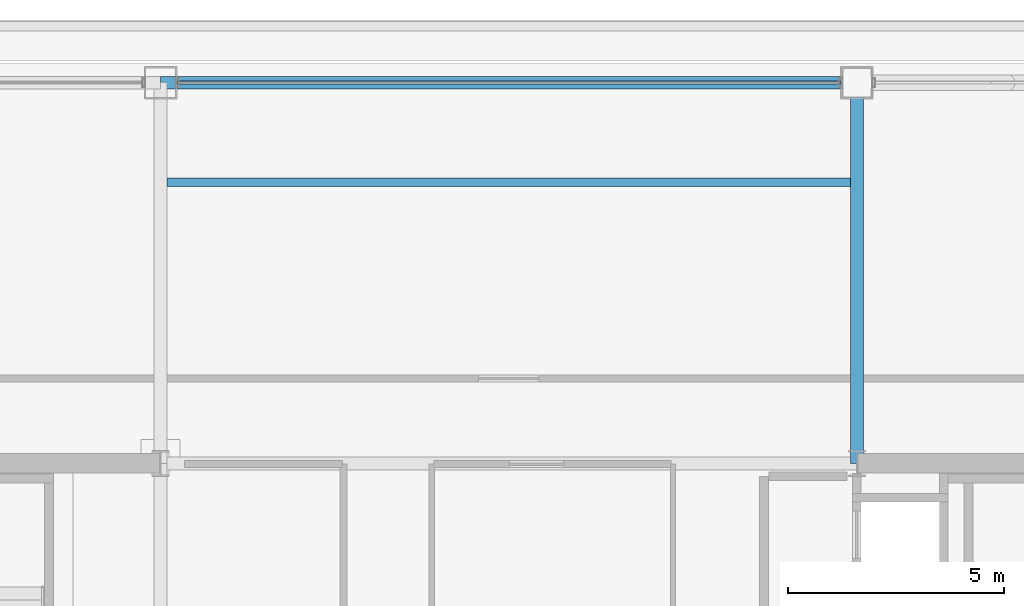
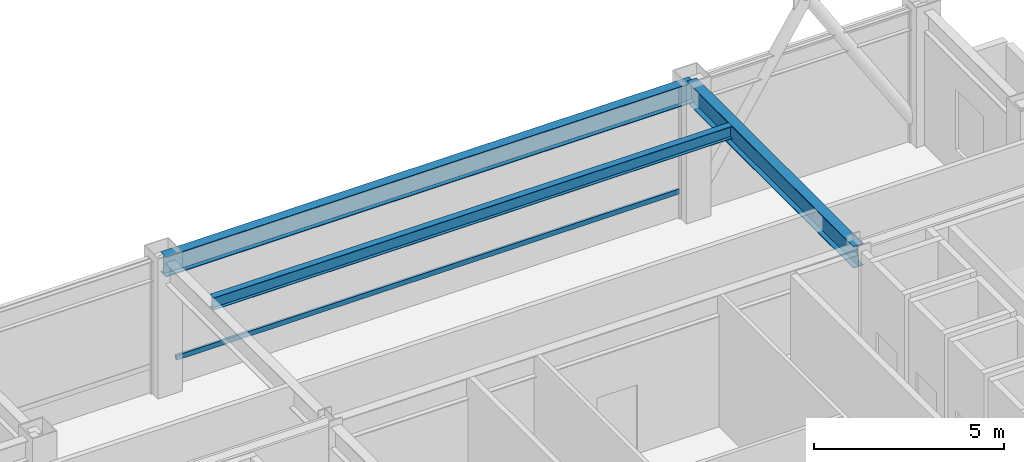
# One storey, part 17 of 24: 3 beams, 1 member, 1 element without a shape of its own.
"""IFC4 building model written with IfcOpenShell, lengths in metres."""

from ifc_helpers import new_model, si_unit, direction, frame, origin, origin_2d, place, context, subcontext, project, spatial, hollow_rectangle, i_section, extrude, material, layer, layer_set, material_profile, profile_set, type_object, element, aggregate, save


model = new_model("IFC4")

# Units and contexts
model_context = context("Model", 3, precision=1e-05, world=origin(), true_north=direction((0.0, 1.0)))
body_context = subcontext(model_context, "Body", "Model", "MODEL_VIEW")
ifc_project = project(units=[si_unit("LENGTHUNIT", "METRE"), si_unit("AREAUNIT", "SQUARE_METRE"), si_unit("VOLUMEUNIT", "CUBIC_METRE"), si_unit("PLANEANGLEUNIT", "RADIAN"), si_unit("MASSUNIT", "GRAM", prefix="KILO")], contexts=[model_context])

# Site, building, storey
site_placement = place(None, origin())
site = spatial("IfcSite", under=ifc_project, at=site_placement, CompositionType="ELEMENT")
building_placement = place(site_placement, origin())
building = spatial("IfcBuilding", under=site, at=building_placement, Name="Brelmoor Portico Tower", CompositionType="ELEMENT")
storey_placement = place(building_placement, frame((0.0, 0.0, 150.60009765625)))
storey = spatial("IfcBuildingStorey", under=building, at=storey_placement, Name="L39", CompositionType="ELEMENT", Elevation=150.60009765625)

# Beams
ifc_material_1 = material(Name="Steel Q355B", Category="steel")
ifc_material_profile_1 = material_profile(ifc_material_1, i_section(OverallWidth=0.199951171875, OverallDepth=0.39990234375, WebThickness=0.008056640625, FlangeThickness=0.012939453125, at=origin_2d()), Name="HN 400x200x8x13")
ifc_profile_set_1 = profile_set([ifc_material_profile_1], Name="Steel Q355B")
beam_type_1 = type_object("IfcBeamType", Name="BM-JS-400", PredefinedType="JOIST", material=ifc_profile_set_1)
beam_1_placement = place(storey_placement, frame((-7.89990234375, 16.25, 4.099853515625), z_axis=(1.0, 0.0, 0.0), x_axis=(0.0, 1.0, 0.0)))
element("IfcBeam", 1, at=beam_1_placement, inside=storey, type_object=beam_type_1, Name="L39 Secondary Composite Joist JS-C02", PredefinedType="JOIST", context=body_context, shape_type="SweptSolid", body=[
    extrude(i_section(OverallWidth=0.199951171875, OverallDepth=0.39990234375, WebThickness=0.008056640625, FlangeThickness=0.012939453125, at=origin_2d()), origin(), (0.0, 0.0, 1.0), 15.7998046875),
])
ifc_material_profile_2 = material_profile(ifc_material_1, i_section(OverallWidth=0.300048828125, OverallDepth=0.699951171875, WebThickness=0.012939453125, FlangeThickness=0.02392578125, at=origin_2d()), Name="HN 700x300x13x24")
ifc_profile_set_2 = profile_set([ifc_material_profile_2], Name="Steel Q355B")
beam_type_2 = type_object("IfcBeamType", Name="BM-PG-700", PredefinedType="BEAM", material=ifc_profile_set_2)
beam_2_placement = place(storey_placement, frame((8.050048828125, 9.75, 3.949951171875), z_axis=(0.0, 1.0, 0.0), x_axis=(-1.0, 0.0, 0.0)))
element("IfcBeam", 2, at=beam_2_placement, inside=storey, type_object=beam_type_2, Name="L39 Primary Floor Girder PG-07", PredefinedType="BEAM", context=body_context, shape_type="SweptSolid", body=[
    extrude(i_section(OverallWidth=0.300048828125, OverallDepth=0.699951171875, WebThickness=0.012939453125, FlangeThickness=0.02392578125, at=origin_2d()), origin(), (0.0, 0.0, 1.0), 8.800048828125),
])
ifc_material_profile_3 = material_profile(ifc_material_1, i_section(OverallWidth=0.280029296875, OverallDepth=0.64990234375, WebThickness=0.012939453125, FlangeThickness=0.02197265625, at=origin_2d()), Name="HN 650x280x13x22")
ifc_profile_set_3 = profile_set([ifc_material_profile_3], Name="Steel Q355B")
beam_type_3 = type_object("IfcBeamType", Name="BM-SP-650", PredefinedType="SPANDREL", material=ifc_profile_set_3)
beam_3_placement = place(storey_placement, frame((-8.050048828125, 18.550048828125, 3.974853515625), z_axis=(1.0, 0.0, 0.0), x_axis=(0.0, 1.0, 0.0)))
element("IfcBeam", 3, at=beam_3_placement, inside=storey, type_object=beam_type_3, Name="L39 Perimeter Spandrel Beam SP-09", PredefinedType="SPANDREL", context=body_context, shape_type="SweptSolid", body=[
    extrude(i_section(OverallWidth=0.280029296875, OverallDepth=0.64990234375, WebThickness=0.012939453125, FlangeThickness=0.02197265625, at=origin_2d()), origin(), (0.0, 0.0, 1.0), 16.10009765625),
])

# Curtain wall, member
ifc_material_2 = material(Name="Anodised Aluminium Alloy 6063-T6", Category="aluminium")
ifc_layer = layer(ifc_material_2, 0.179931640625)
ifc_layer_set = layer_set([ifc_layer], Name="Anodised Aluminium Alloy 6063-T6")
curtain_wall_type = type_object("IfcCurtainWallType", Name="CW-SKYLOBBY", PredefinedType="NOTDEFINED", material=ifc_layer_set)
curtain_wall_placement = place(storey_placement, origin())
curtain_wall = element("IfcCurtainWall", 4, at=curtain_wall_placement, inside=storey, type_object=curtain_wall_type, Name="L39 Curtain Wall CW-L39-02-2", PredefinedType="NOTDEFINED")
ifc_material_profile_4 = material_profile(ifc_material_2, hollow_rectangle(XDim=0.070068359375, YDim=0.159912109375, WallThickness=0.00390625, at=origin_2d()), Name="ALU TRANSOM 70x160")
ifc_profile_set_4 = profile_set([ifc_material_profile_4], Name="Anodised Aluminium Alloy 6063-T6")
member_type = type_object("IfcMemberType", Name="MB-CW-TRAN-160", PredefinedType="USERDEFINED", material=ifc_profile_set_4)
member_placement = place(storey_placement, frame((-7.6650390625, 18.550048828125, 0.849853515625), z_axis=(1.0, 0.0, 0.0), x_axis=(0.0, 1.0, 0.0)))
member = element("IfcMember", 5, at=member_placement, type_object=member_type, Name="CW-L39-02-2 Transom 1-00", ObjectType="TRANSOM", PredefinedType="USERDEFINED", context=body_context, shape_type="SweptSolid", body=[
    extrude(hollow_rectangle(XDim=0.070068359375, YDim=0.159912109375, WallThickness=0.00390625, at=origin_2d()), origin(), (0.0, 0.0, 1.0), 15.330078125),
])
aggregate(curtain_wall, [member])

save(model, "model.ifc")
